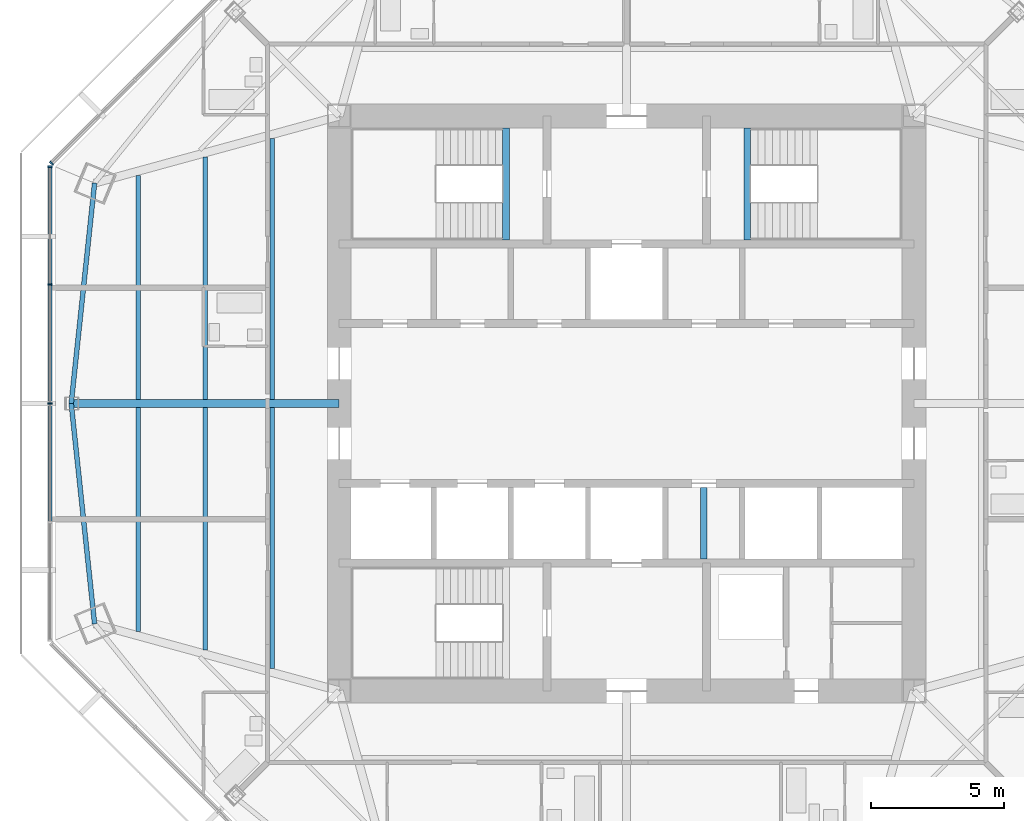
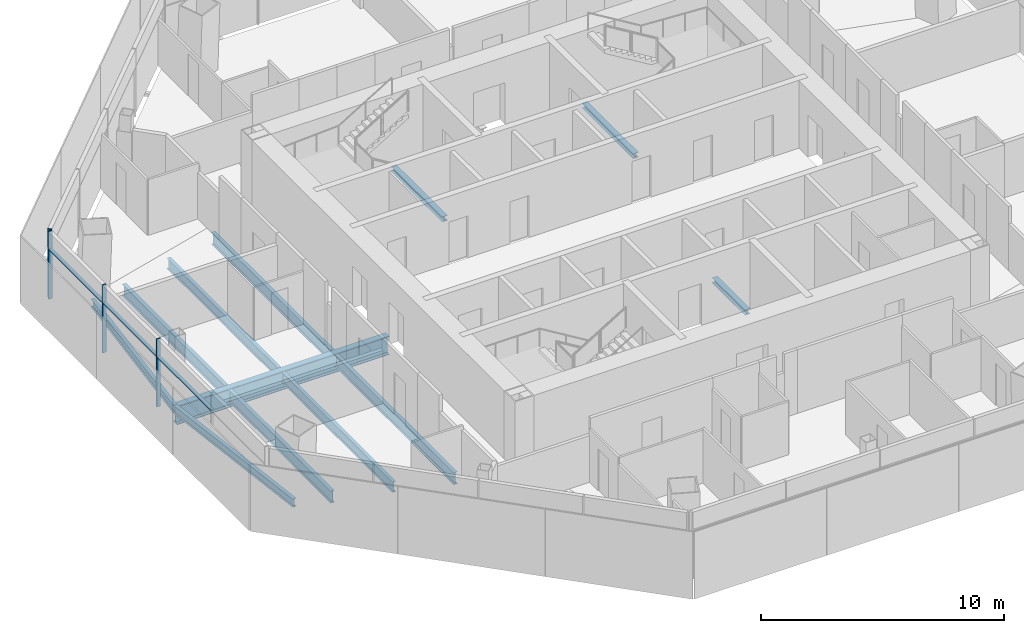
# One storey, part 3 of 15: 12 beams, 7 members, 2 elements without a shape of their own.
"""IFC4 building model written with IfcOpenShell, lengths in metres."""

from ifc_helpers import new_model, si_unit, direction, frame, origin, origin_2d, place, context, subcontext, project, spatial, rectangle, i_section, extrude, source, transform, mapped, material, material_profile, profile_set, type_object, type_shapes, element, aggregate, save


model = new_model("IFC4")

# Units and contexts
model_context = context("Model", 3, precision=1e-05, world=origin(), true_north=direction((0.0, 1.0)))
body_context = subcontext(model_context, "Body", "Model", "MODEL_VIEW")
ifc_project = project(units=[si_unit("LENGTHUNIT", "METRE"), si_unit("AREAUNIT", "SQUARE_METRE"), si_unit("VOLUMEUNIT", "CUBIC_METRE"), si_unit("PLANEANGLEUNIT", "RADIAN"), si_unit("MASSUNIT", "GRAM", prefix="KILO")], contexts=[model_context])

# Site, building, storey
site_placement = place(None, origin())
site = spatial("IfcSite", under=ifc_project, at=site_placement, CompositionType="ELEMENT")
building_placement = place(site_placement, origin())
building = spatial("IfcBuilding", under=site, at=building_placement, Name="Mashrafa Tower", CompositionType="ELEMENT")
storey_placement = place(building_placement, frame((0.0, 0.0, 224.39990234375)))
storey = spatial("IfcBuildingStorey", under=building, at=storey_placement, Name="L52", CompositionType="ELEMENT", Elevation=224.39990234375)

# Beams
ifc_material_1 = material(Name="Steel ASTM A992", Category="steel")
ifc_material_profile_1 = material_profile(ifc_material_1, i_section(OverallWidth=0.177734375, OverallDepth=0.406494140625, WebThickness=0.0078125, FlangeThickness=0.012939453125, FilletRadius=0.01025390625, at=origin_2d()), Name="W16X40")
ifc_profile_set_1 = profile_set([ifc_material_profile_1], Name="Steel ASTM A992")
beam_type_1 = type_object("IfcBeamType", Name="Beam W16X40", PredefinedType="BEAM", material=ifc_profile_set_1)
for number, where, z_axis, x_axis, name in (
    (1, (-20.872314453125, 0.0, -0.403076171875), (0.105443148365, -0.994425332774, 0.0), (0.994425332774, 0.105443148365, 0.0), "Spandrel beam L52 049"),
    (2, (-19.994140625, 8.281982421875, -0.403076171875), (-0.105443148365, -0.994425332774, 0.0), (0.994425332774, -0.105443148365, 0.0), "Spandrel beam L52 051"),
):
    element("IfcBeam", number, at=place(storey_placement, frame(where, z_axis=z_axis, x_axis=x_axis)), inside=storey, type_object=beam_type_1, Name=name, PredefinedType="BEAM", context=body_context, shape_type="SweptSolid", body=[
        extrude(i_section(OverallWidth=0.177734375, OverallDepth=0.406494140625, WebThickness=0.0078125, FlangeThickness=0.012939453125, FilletRadius=0.01025390625, at=origin_2d()), origin(), (0.0, 0.0, 1.0), 8.328369140625),
    ])
ifc_material_2 = material(Name="Steel ASTM A992", Category="steel")
ifc_material_profile_2 = material_profile(ifc_material_2, i_section(OverallWidth=0.1650390625, OverallDepth=0.52587890625, WebThickness=0.0087890625, FlangeThickness=0.011474609375, FilletRadius=0.0126953125, at=origin_2d()), Name="W21X44")
ifc_profile_set_2 = profile_set([ifc_material_profile_2], Name="Steel ASTM A992")
beam_type_2 = type_object("IfcBeamType", Name="Beam W21X44", PredefinedType="BEAM", material=ifc_profile_set_2)
for number, where, z_axis, x_axis, name in (
    (3, (-15.836181640625, -9.2626953125, -0.462890625), (0.0, 1.0, 0.0), (-1.0, 0.0, 0.0), "Floor beam L52 004"),
    (4, (-15.836181640625, 0.15380859375, -0.462890625), (0.0, 1.0, 0.0), (-1.0, 0.0, 0.0), "Floor beam L52 005"),
):
    element("IfcBeam", number, at=place(storey_placement, frame(where, z_axis=z_axis, x_axis=x_axis)), inside=storey, type_object=beam_type_2, Name=name, PredefinedType="BEAM", context=body_context, shape_type="SweptSolid", body=[
        extrude(i_section(OverallWidth=0.1650390625, OverallDepth=0.52587890625, WebThickness=0.0087890625, FlangeThickness=0.011474609375, FilletRadius=0.0126953125, at=origin_2d()), origin(), (0.0, 0.0, 1.0), 9.10888671875),
    ])
ifc_material_3 = material(Name="Steel ASTM A992", Category="steel")
ifc_material_profile_3 = material_profile(ifc_material_3, i_section(OverallWidth=0.177978515625, OverallDepth=0.599365234375, WebThickness=0.010009765625, FlangeThickness=0.012939453125, FilletRadius=0.012939453125, at=origin_2d()), Name="W24X55")
ifc_profile_set_3 = profile_set([ifc_material_profile_3], Name="Steel ASTM A992")
beam_type_3 = type_object("IfcBeamType", Name="Beam W24X55", PredefinedType="BEAM", material=ifc_profile_set_3)
for number, where, z_axis, x_axis, name in (
    (5, (-18.354248046875, -8.572998046875, -0.49951171875), (0.0, 1.0, 0.0), (-1.0, 0.0, 0.0), "Floor beam L52 001"),
    (6, (-18.354248046875, 0.15380859375, -0.49951171875), (0.0, 1.0, 0.0), (-1.0, 0.0, 0.0), "Floor beam L52 002"),
):
    element("IfcBeam", number, at=place(storey_placement, frame(where, z_axis=z_axis, x_axis=x_axis)), inside=storey, type_object=beam_type_3, Name=name, PredefinedType="BEAM", context=body_context, shape_type="SweptSolid", body=[
        extrude(i_section(OverallWidth=0.177978515625, OverallDepth=0.599365234375, WebThickness=0.010009765625, FlangeThickness=0.012939453125, FilletRadius=0.012939453125, at=origin_2d()), origin(), (0.0, 0.0, 1.0), 8.419189453125),
    ])
for number, where, z_axis, x_axis, name in (
    (7, (-13.318115234375, -9.952392578125, -0.49951171875), (0.0, 1.0, 0.0), (-1.0, 0.0, 0.0), "Floor beam L52 006"),
    (8, (-13.318115234375, 0.15380859375, -0.49951171875), (0.0, 1.0, 0.0), (-1.0, 0.0, 0.0), "Floor beam L52 007"),
):
    element("IfcBeam", number, at=place(storey_placement, frame(where, z_axis=z_axis, x_axis=x_axis)), inside=storey, type_object=beam_type_3, Name=name, PredefinedType="BEAM", context=body_context, shape_type="SweptSolid", body=[
        extrude(i_section(OverallWidth=0.177978515625, OverallDepth=0.599365234375, WebThickness=0.010009765625, FlangeThickness=0.012939453125, FilletRadius=0.012939453125, at=origin_2d()), origin(), (0.0, 0.0, 1.0), 9.798583984375),
    ])
ifc_material_4 = material(Name="Steel ASTM A992", Category="steel")
ifc_material_profile_4 = material_profile(ifc_material_4, i_section(OverallWidth=0.307373046875, OverallDepth=0.927001953125, WebThickness=0.01953125, FlangeThickness=0.031982421875, FilletRadius=0.01904296875, at=origin_2d()), Name="W36X194")
ifc_profile_set_4 = profile_set([ifc_material_profile_4], Name="Steel ASTM A992")
beam_type_4 = type_object("IfcBeamType", Name="Beam W36X194", PredefinedType="BEAM", material=ifc_profile_set_4)
beam_1_placement = place(storey_placement, frame((-10.800048828125, 0.0, -0.66357421875), z_axis=(-1.0, 0.0, 0.0), x_axis=(0.0, -1.0, 0.0)))
element("IfcBeam", 9, at=beam_1_placement, inside=storey, type_object=beam_type_4, Name="Radial girder L52 036", PredefinedType="BEAM", context=body_context, shape_type="SweptSolid", body=[
    extrude(i_section(OverallWidth=0.307373046875, OverallDepth=0.927001953125, WebThickness=0.01953125, FlangeThickness=0.031982421875, FilletRadius=0.01904296875, at=origin_2d()), origin(), (0.0, 0.0, 1.0), 10.072265625),
])
ifc_material_5 = material(Name="Steel ASTM A992", Category="steel")
ifc_material_profile_5 = material_profile(ifc_material_5, i_section(OverallWidth=0.25390625, OverallDepth=0.25390625, WebThickness=0.008544921875, FlangeThickness=0.01416015625, FilletRadius=0.010009765625, at=origin_2d()), Name="W10X49")
ifc_profile_set_5 = profile_set([ifc_material_profile_5], Name="Steel ASTM A992")
beam_type_5 = type_object("IfcBeamType", Name="Hoistway beam W10X49", PredefinedType="BEAM", material=ifc_profile_set_5)
beam_2_placement = place(storey_placement, frame((2.89990234375, -5.85009765625, -0.326904296875), z_axis=(0.0, 1.0, 0.0), x_axis=(-1.0, 0.0, 0.0)))
element("IfcBeam", 10, at=beam_2_placement, inside=storey, type_object=beam_type_5, Name="Hoistway beam L52 07", PredefinedType="BEAM", context=body_context, shape_type="SweptSolid", body=[
    extrude(i_section(OverallWidth=0.25390625, OverallDepth=0.25390625, WebThickness=0.008544921875, FlangeThickness=0.01416015625, FilletRadius=0.010009765625, at=origin_2d()), origin(), (0.0, 0.0, 1.0), 2.7001953125),
])
for number, where, z_axis, x_axis, name in (
    (11, (-4.530029296875, 6.14990234375, -0.326904296875), (0.0, 1.0, 0.0), (-1.0, 0.0, 0.0), "Stair S1 landing beam L52"),
    (12, (4.530029296875, 6.14990234375, -0.326904296875), (0.0, 1.0, 0.0), (-1.0, 0.0, 0.0), "Stair S2 landing beam L52"),
):
    element("IfcBeam", number, at=place(storey_placement, frame(where, z_axis=z_axis, x_axis=x_axis)), inside=storey, type_object=beam_type_5, Name=name, PredefinedType="BEAM", context=body_context, shape_type="SweptSolid", body=[
        extrude(i_section(OverallWidth=0.25390625, OverallDepth=0.25390625, WebThickness=0.008544921875, FlangeThickness=0.01416015625, FilletRadius=0.010009765625, at=origin_2d()), origin(), (0.0, 0.0, 1.0), 4.2001953125),
    ])

# Curtain wall, member
ifc_material_6 = material(Name="Unitised aluminium curtain wall", Category="aluminium")
curtain_wall_type = type_object("IfcCurtainWallType", Name="Apartment curtain wall, zone 3 CW-C 180 deep", PredefinedType="NOTDEFINED", material=ifc_material_6)
curtain_wall_1_placement = place(storey_placement, origin())
curtain_wall_1 = element("IfcCurtainWall", 13, at=curtain_wall_1_placement, inside=storey, type_object=curtain_wall_type, Name="Apartment curtain wall, zone 3 L52 north-west", PredefinedType="NOTDEFINED")
ifc_material_7 = material(Name="Extruded aluminium mullion", Category="aluminium")
ifc_material_profile_6 = material_profile(ifc_material_7, rectangle(XDim=0.179931640625, YDim=0.06005859375, at=origin_2d()), Name="Mullion 60x180")
ifc_profile_set_6 = profile_set([ifc_material_profile_6], Name="Extruded aluminium mullion")
member_type_1 = type_object("IfcMemberType", Name="Mullion CW-C 60 x 180", PredefinedType="MULLION", material=ifc_profile_set_6)
shared_shape_1 = source(origin(), body_context, "Body", "SweptSolid", [
    extrude(rectangle(XDim=0.179931640625, YDim=0.06005859375, at=origin_2d()), origin(), (0.0, 0.0, 1.0), 3.400146484375),
])
type_shapes(member_type_1, [shared_shape_1])
member_1_placement = place(storey_placement, frame((-21.612060546875, 9.029296875, 0.0), z_axis=(0.0, 0.0, 1.0), x_axis=(0.707106781187, -0.707106781187, 0.0)))
member_1 = element("IfcMember", 14, at=member_1_placement, type_object=member_type_1, Name="CW-C mullion 5", PredefinedType="MULLION", context=body_context, shape_type="MappedRepresentation", body=[
    mapped(shared_shape_1, transform((0.0, 0.0, 0.0))),
])
aggregate(curtain_wall_1, [member_1])

# Curtain wall, members
curtain_wall_2_placement = place(storey_placement, origin())
curtain_wall_2 = element("IfcCurtainWall", 15, at=curtain_wall_2_placement, inside=storey, type_object=curtain_wall_type, Name="Apartment curtain wall, zone 3 L52 west", PredefinedType="NOTDEFINED")
member_2_placement = place(storey_placement, frame((-21.666748046875, 8.8974609375, 0.0), z_axis=(0.0, 0.0, 1.0), x_axis=(1.0, 0.0, 0.0)))
member_2 = element("IfcMember", 16, at=member_2_placement, type_object=member_type_1, Name="CW-C mullion 1", PredefinedType="MULLION", context=body_context, shape_type="MappedRepresentation", body=[
    mapped(shared_shape_1, transform((0.0, 0.0, 0.0))),
])
member_3_placement = place(storey_placement, frame((-21.666748046875, 4.463623046875, 0.0), z_axis=(0.0, 0.0, 1.0), x_axis=(1.0, 0.0, 0.0)))
member_3 = element("IfcMember", 17, at=member_3_placement, type_object=member_type_1, Name="CW-C mullion 2", PredefinedType="MULLION", context=body_context, shape_type="MappedRepresentation", body=[
    mapped(shared_shape_1, transform((0.0, 0.0, 0.0))),
])
member_4_placement = place(storey_placement, frame((-21.666748046875, 0.0, 0.0), z_axis=(0.0, 0.0, 1.0), x_axis=(1.0, 0.0, 0.0)))
member_4 = element("IfcMember", 18, at=member_4_placement, type_object=member_type_1, Name="CW-C mullion 3", PredefinedType="MULLION", context=body_context, shape_type="MappedRepresentation", body=[
    mapped(shared_shape_1, transform((0.0, 0.0, 0.0))),
])
ifc_material_8 = material(Name="Extruded aluminium transom", Category="aluminium")
ifc_material_profile_7 = material_profile(ifc_material_8, rectangle(XDim=0.14404296875, YDim=0.074951171875, at=origin_2d()), Name="Transom 75x144")
ifc_profile_set_7 = profile_set([ifc_material_profile_7], Name="Extruded aluminium transom")
member_type_2 = type_object("IfcMemberType", Name="Transom CW-C 75 x 144", PredefinedType="MULLION", material=ifc_profile_set_7)
shared_shape_2 = source(origin(), body_context, "Body", "SweptSolid", [
    extrude(rectangle(XDim=0.14404296875, YDim=0.074951171875, at=origin_2d()), origin(), (0.0, 0.0, 1.0), 4.373779296875),
])
member_5_placement = place(storey_placement, frame((-21.666748046875, 8.867431640625, 2.5), z_axis=(0.0, -1.0, 0.0), x_axis=(1.0, 0.0, 0.0)))
member_5 = element("IfcMember", 19, at=member_5_placement, type_object=member_type_2, Name="CW-C transom 1", PredefinedType="MULLION", context=body_context, shape_type="MappedRepresentation", body=[
    mapped(shared_shape_2, transform((0.0, 0.0, 0.0))),
])
shared_shape_3 = source(origin(), body_context, "Body", "SweptSolid", [
    extrude(rectangle(XDim=0.14404296875, YDim=0.074951171875, at=origin_2d()), origin(), (0.0, 0.0, 1.0), 4.403564453125),
])
type_shapes(member_type_2, [shared_shape_2, shared_shape_3])
member_6_placement = place(storey_placement, frame((-21.666748046875, 4.43359375, 2.5), z_axis=(0.0, -1.0, 0.0), x_axis=(1.0, 0.0, 0.0)))
member_6 = element("IfcMember", 20, at=member_6_placement, type_object=member_type_2, Name="CW-C transom 2", PredefinedType="MULLION", context=body_context, shape_type="MappedRepresentation", body=[
    mapped(shared_shape_3, transform((0.0, 0.0, 0.0))),
])
member_7_placement = place(storey_placement, frame((-21.666748046875, -0.030029296875, 2.5), z_axis=(0.0, -1.0, 0.0), x_axis=(1.0, 0.0, 0.0)))
member_7 = element("IfcMember", 21, at=member_7_placement, type_object=member_type_2, Name="CW-C transom 3", PredefinedType="MULLION", context=body_context, shape_type="MappedRepresentation", body=[
    mapped(shared_shape_3, transform((0.0, 0.0, 0.0))),
])
aggregate(curtain_wall_2, [member_2, member_3, member_4, member_5, member_6, member_7])

save(model, "model.ifc")
